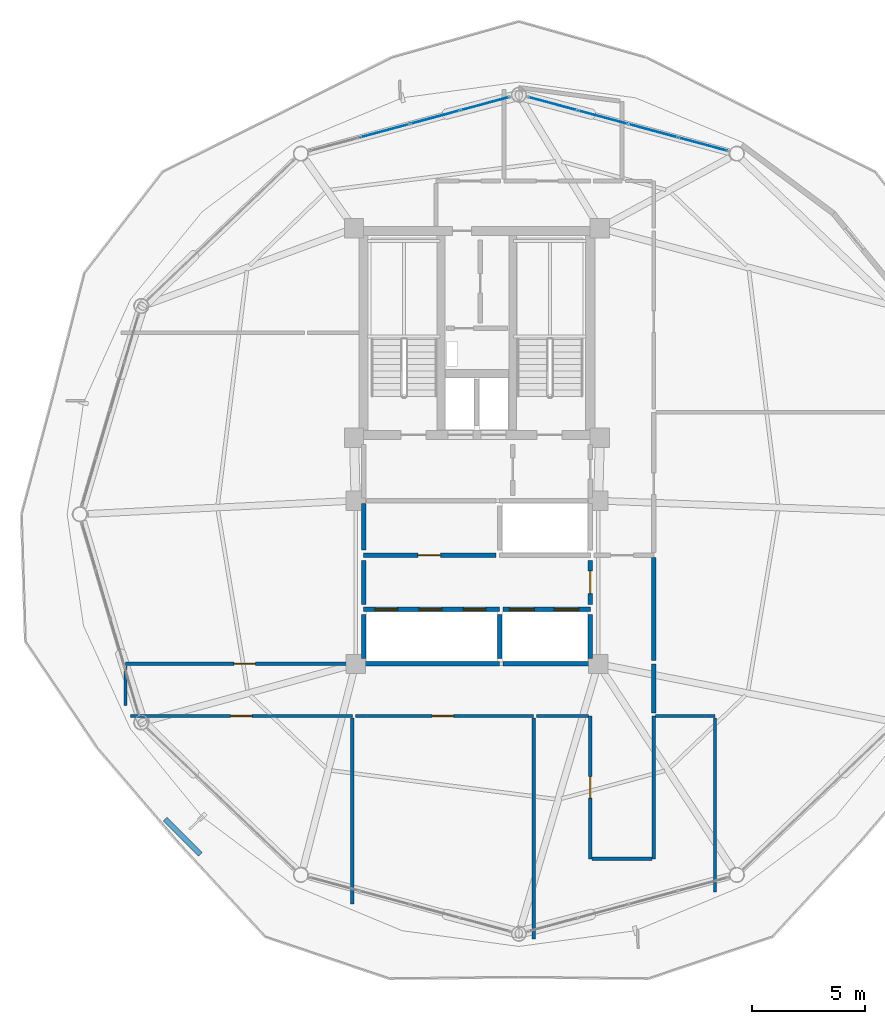
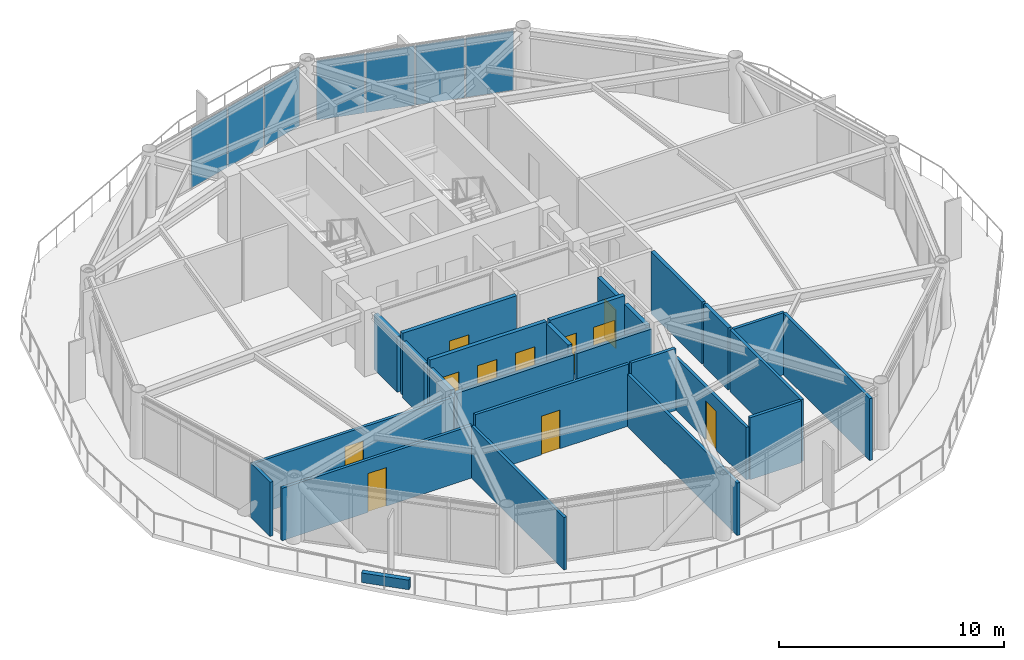
# One storey, part 23 of 28: 26 walls, 11 doors, 7 plates, 11 openings, 2 elements without a shape of their own.
"""IFC4 building model written with IfcOpenShell, lengths in metres."""

import ifcopenshell
import ifcopenshell.guid

model = None  # the IFC model being written
_history = None  # IfcOwnerHistory: only IFC2X3 demands one
_inside = {}  # id of a spatial element -> (the spatial element, [elements in it])
_under = {}  # id of a project, library or spatial element -> (it, [spatial elements below it])
_declared = {}  # id of a project -> (the project, [libraries it declares])
_typed = {}  # id of a type object -> (the type object, [elements of that type])
_made_of = {}  # id of a material, layer set ... -> (it, [elements and type objects made of it])


def new_model(schema):
    """Start an empty IFC model of exactly this schema.

    Asked for "IFC4X3", IfcOpenShell would pick the latest addendum, in which some entities
    have other attributes; the version numbers below select the first issue.
    IFC2X3 requires an IfcOwnerHistory on every rooted entity: one is made here for all.
    """
    global model, _history
    if schema == "IFC4X3":
        model = ifcopenshell.file(schema_version=(4, 3, 0, 0))
    else:
        model = ifcopenshell.file(schema=schema)
    _inside.clear()
    _under.clear()
    _declared.clear()
    _typed.clear()
    _made_of.clear()
    _history = None
    if model.schema == "IFC2X3":
        org = make("IfcOrganization", Name="unknown")
        user = make(
            "IfcPersonAndOrganization",
            ThePerson=make("IfcPerson", FamilyName="unknown"),
            TheOrganization=org,
        )
        app = make(
            "IfcApplication",
            ApplicationDeveloper=org,
            Version="unknown",
            ApplicationFullName="unknown",
            ApplicationIdentifier="unknown",
        )
        _history = make(
            "IfcOwnerHistory",
            OwningUser=user,
            OwningApplication=app,
            ChangeAction="ADDED",
            CreationDate=0,
        )
    return model


def make(cls, **values):
    """One entity of the class cls with the attributes given. An attribute that is None is left unset."""
    return model.create_entity(
        cls, **{name: value for name, value in values.items() if value is not None}
    )


def rooted(cls, **values):
    """An entity with a GlobalId (a new one), such as an element, a storey or a relation."""
    return make(cls, GlobalId=ifcopenshell.guid.new(), OwnerHistory=_history, **values)


def si_unit(unit_type, name, prefix=None):
    """IfcSIUnit, for example si_unit("LENGTHUNIT", "METRE", prefix="MILLI")."""
    return make("IfcSIUnit", UnitType=unit_type, Prefix=prefix, Name=name)


def assignment(units):
    """IfcUnitAssignment: the units of a project."""
    return None if units is None else make("IfcUnitAssignment", Units=units)


def point(xyz):
    """IfcCartesianPoint."""
    return None if xyz is None else make("IfcCartesianPoint", Coordinates=xyz)


def direction(xyz):
    """IfcDirection."""
    return None if xyz is None else make("IfcDirection", DirectionRatios=xyz)


def frame(location, z_axis=None, x_axis=None):
    """IfcAxis2Placement3D, a coordinate frame: its origin and axes. An axis left out is left unset."""
    return make(
        "IfcAxis2Placement3D",
        Location=point(location),
        Axis=direction(z_axis),
        RefDirection=direction(x_axis),
    )


def frame_2d(location, x_axis=None):
    """IfcAxis2Placement2D, a coordinate frame in the plane: its origin and x axis."""
    return make(
        "IfcAxis2Placement2D", Location=point(location), RefDirection=direction(x_axis)
    )


def origin():
    """The frame at (0, 0, 0) with its axes left unset."""
    return frame((0.0, 0.0, 0.0))


def origin_2d():
    """The frame at (0, 0) in the plane with its x axis left unset."""
    return frame_2d((0.0, 0.0))


def place(relative_to, where):
    """IfcLocalPlacement: puts the frame where relative to a parent placement (None: the world)."""
    return make(
        "IfcLocalPlacement", PlacementRelTo=relative_to, RelativePlacement=where
    )


def context(
    kind, dimensions, precision=None, world=None, true_north=None, identifier=None
):
    """IfcGeometricRepresentationContext, for example the 3D "Model" context."""
    return make(
        "IfcGeometricRepresentationContext",
        ContextIdentifier=identifier,
        ContextType=kind,
        CoordinateSpaceDimension=dimensions,
        Precision=precision,
        WorldCoordinateSystem=world,
        TrueNorth=true_north,
    )


def subcontext(parent, identifier, kind, view, scale=None):
    """IfcGeometricRepresentationSubContext, for example "Body" below "Model"."""
    return make(
        "IfcGeometricRepresentationSubContext",
        ContextIdentifier=identifier,
        ContextType=kind,
        ParentContext=parent,
        TargetScale=scale,
        TargetView=view,
    )


def project(units=None, contexts=None):
    """IfcProject with its units and contexts."""
    return rooted(
        "IfcProject",
        Name="project",
        RepresentationContexts=contexts,
        UnitsInContext=assignment(units),
    )


def spatial(cls, under=None, at=None, **own):
    """A site, building, storey or space (cls), placed at a placement, below another one or the project."""
    s = rooted(cls, ObjectPlacement=at, **own)
    if under is not None:
        _under.setdefault(under.id(), (under, []))[1].append(s)
    return s


def profile(cls, at=None, kind="AREA", **sizes):
    """A parametric profile (cls). Its sizes go by their IFC names, for example OverallWidth=200.0."""
    return make(cls, ProfileType=kind, Position=at, **sizes)


def rectangle(**sizes):
    """IfcRectangleProfileDef."""
    return profile("IfcRectangleProfileDef", **sizes)


def extrude(swept, where, along, depth):
    """IfcExtrudedAreaSolid: the profile swept, set in the frame where, extruded along a direction by depth."""
    return make(
        "IfcExtrudedAreaSolid",
        SweptArea=swept,
        Position=where,
        ExtrudedDirection=direction(along),
        Depth=depth,
    )


def shape(context_of_items, identifier, shape_type, items):
    """IfcShapeRepresentation: the items that make up one representation, for example the "Body"."""
    return make(
        "IfcShapeRepresentation",
        ContextOfItems=context_of_items,
        RepresentationIdentifier=identifier,
        RepresentationType=shape_type,
        Items=items,
    )


def source(mapping_origin, context_of_items, identifier, shape_type, items):
    """IfcRepresentationMap: a shape defined once, which mapped items show again and again."""
    return make(
        "IfcRepresentationMap",
        MappingOrigin=mapping_origin,
        MappedRepresentation=shape(context_of_items, identifier, shape_type, items),
    )


def transform(
    local_origin,
    x_axis=None,
    y_axis=None,
    z_axis=None,
    scale=None,
    scale2=None,
    scale3=None,
    uniform=True,
):
    """IfcCartesianTransformationOperator3D, or its non-uniform kind. x_axis, y_axis, z_axis: its Axis1, 2, 3."""
    if uniform:
        return make(
            "IfcCartesianTransformationOperator3D",
            Axis1=direction(x_axis),
            Axis2=direction(y_axis),
            LocalOrigin=point(local_origin),
            Scale=scale,
            Axis3=direction(z_axis),
        )
    return make(
        "IfcCartesianTransformationOperator3DnonUniform",
        Axis1=direction(x_axis),
        Axis2=direction(y_axis),
        LocalOrigin=point(local_origin),
        Scale=scale,
        Axis3=direction(z_axis),
        Scale2=scale2,
        Scale3=scale3,
    )


def mapped(mapping_source, mapping_target):
    """IfcMappedItem: shows the shape of a source again, moved by a transform."""
    return make(
        "IfcMappedItem", MappingSource=mapping_source, MappingTarget=mapping_target
    )


def material(Name=None, Category=None):
    """IfcMaterial."""
    return make("IfcMaterial", Name=Name, Category=Category)


def layer(
    of_material, thickness, ventilated=None, Name=None, Category=None, Priority=None
):
    """IfcMaterialLayer: one layer of a wall or slab, of a material (None: an air gap)."""
    return make(
        "IfcMaterialLayer",
        Material=of_material,
        LayerThickness=thickness,
        IsVentilated=ventilated,
        Name=Name,
        Category=Category,
        Priority=Priority,
    )


def layer_set(layers, Name=None):
    """IfcMaterialLayerSet."""
    return make("IfcMaterialLayerSet", MaterialLayers=layers, LayerSetName=Name)


def made_of(thing, what):
    """Note that an element or type object is made of a material, layer set ...; save() writes the relation."""
    if what is not None:
        _made_of.setdefault(what.id(), (what, []))[1].append(thing)
    return thing


def type_object(cls, material=None, **own):
    """A type object (cls), such as IfcWallType, which elements share."""
    return made_of(rooted(cls, **own), material)


def type_shapes(of_type, sources):
    """Give a type object the sources (RepresentationMaps) that its elements show as mapped items."""
    of_type.RepresentationMaps = sources


def element(
    cls,
    number,
    at=None,
    inside=None,
    cuts=None,
    type_object=None,
    material=None,
    context=None,
    identifier="Body",
    shape_type=None,
    held_by="IfcProductDefinitionShape",
    body=None,
    shapes=None,
    **own,
):
    """One element of the class cls, such as IfcWall. Its Tag is "e" and its number.

    at: its placement. inside: the storey or other place that contains it. cuts: it is an
    opening in that element (IfcRelVoidsElement). A single representation is given by context,
    identifier, shape_type and body (its items); several are given by shapes. held_by: the class
    of the entity that holds the representations. save() writes the other relations.
    """
    e = rooted(cls, Tag="e%d" % number, ObjectPlacement=at, **own)
    if body is not None:
        shapes = [shape(context, identifier, shape_type, body)]
    if shapes is not None:
        e.Representation = make(held_by, Representations=shapes)
    if inside is not None:
        _inside.setdefault(inside.id(), (inside, []))[1].append(e)
    if cuts is not None:
        rooted(
            "IfcRelVoidsElement", RelatingBuildingElement=cuts, RelatedOpeningElement=e
        )
    if type_object is not None:
        _typed.setdefault(type_object.id(), (type_object, []))[1].append(e)
    return made_of(e, material)


def fill(opening, filler):
    """IfcRelFillsElement: the door or window that sits in an opening."""
    return rooted(
        "IfcRelFillsElement",
        RelatingOpeningElement=opening,
        RelatedBuildingElement=filler,
    )


def aggregate(whole, parts):
    """IfcRelAggregates: a whole, such as a stair, and the parts it consists of."""
    return rooted("IfcRelAggregates", RelatingObject=whole, RelatedObjects=parts)


def save(model, path):
    """Write the relations noted so far, then the file.

    IfcRelAggregates (storeys below a building ...), IfcRelContainedInSpatialStructure (elements
    in a storey), IfcRelDefinesByType, IfcRelAssociatesMaterial and IfcRelDeclares: one each for
    every whole, place, type object, material and project.
    """
    for whole, parts in _under.values():
        aggregate(whole, parts)
    for where, things in _inside.values():
        rooted(
            "IfcRelContainedInSpatialStructure",
            RelatedElements=things,
            RelatingStructure=where,
        )
    for kind, things in _typed.values():
        rooted("IfcRelDefinesByType", RelatedObjects=things, RelatingType=kind)
    for what, things in _made_of.values():
        rooted("IfcRelAssociatesMaterial", RelatedObjects=things, RelatingMaterial=what)
    for by, libraries in _declared.values():
        rooted("IfcRelDeclares", RelatingContext=by, RelatedDefinitions=libraries)
    model.write(path)


model = new_model("IFC4")

# Units and contexts
model_context = context("Model", 3, precision=1e-05, world=origin(), true_north=direction((0.0, 1.0)))
body_context = subcontext(model_context, "Body", "Model", "MODEL_VIEW")
ifc_project = project(units=[si_unit("LENGTHUNIT", "METRE"), si_unit("AREAUNIT", "SQUARE_METRE"), si_unit("VOLUMEUNIT", "CUBIC_METRE"), si_unit("PLANEANGLEUNIT", "RADIAN"), si_unit("MASSUNIT", "GRAM", prefix="KILO")], contexts=[model_context])

# Site, building, storey
site_placement = place(None, origin())
site = spatial("IfcSite", under=ifc_project, at=site_placement, CompositionType="ELEMENT")
building_placement = place(site_placement, origin())
building = spatial("IfcBuilding", under=site, at=building_placement, Name="Varnakorn Sky Granary", CompositionType="ELEMENT")
storey_placement = place(building_placement, frame((0.0, 0.0, 200.39990234375)))
storey = spatial("IfcBuildingStorey", under=building, at=storey_placement, Name="L50", CompositionType="ELEMENT", Elevation=200.39990234375)

# Curtain wall, plates
ifc_material_1 = material(Name="Anodised Bronze Aluminium Alloy 6063-T6", Category="aluminium")
ifc_layer_1 = layer(ifc_material_1, 0.169921875, Name="Anodised Bronze Aluminium Alloy 6063-T6")
ifc_layer_set_1 = layer_set([ifc_layer_1], Name="Anodised Bronze Aluminium Alloy 6063-T6")
curtain_wall_type = type_object("IfcCurtainWallType", Name="CW-LAB-1", PredefinedType="USERDEFINED", material=ifc_layer_set_1)
curtain_wall_1_placement = place(storey_placement, origin())
curtain_wall_1 = element("IfcCurtainWall", 1, at=curtain_wall_1_placement, inside=storey, type_object=curtain_wall_type, Name="Unitised Curtain Wall CW5 CW-L50-B03", ObjectType="CURTAIN WALL", PredefinedType="USERDEFINED")
ifc_material_2 = material(Name="Opaque Insulated Aluminium Shadow-Box Unit", Category="aluminium")
ifc_layer_2 = layer(ifc_material_2, 0.033935546875, Name="Opaque Insulated Aluminium Shadow-Box Unit")
ifc_layer_set_2 = layer_set([ifc_layer_2], Name="Opaque Insulated Aluminium Shadow-Box Unit")
plate_type = type_object("IfcPlateType", Name="CW-LAB-1-PNL", PredefinedType="CURTAIN_PANEL")
shared_shape_1 = source(origin(), body_context, "Body", "SweptSolid", [
    extrude(rectangle(XDim=2.19873046875, YDim=0.033935546875, at=origin_2d()), origin(), (0.0, 0.0, 1.0), 3.219970703125),
])
plate_1_placement = place(storey_placement, frame((6.3505859375, 18.10791015625, 0.0703125), z_axis=(0.0, 0.0, 1.0), x_axis=(0.965435246946, -0.260643020154, 0.0)))
plate_1 = element("IfcPlate", 2, at=plate_1_placement, type_object=plate_type, material=ifc_layer_set_2, Name="CW5 opaque insulated shadow-box unit 1.1", PredefinedType="CURTAIN_PANEL", context=body_context, shape_type="MappedRepresentation", body=[
    mapped(shared_shape_1, transform((0.0, 0.0, 0.0), x_axis=(1.0, 0.0, 0.0), y_axis=(0.0, 1.0, 0.0), z_axis=(0.0, 0.0, 1.0), scale=1.0)),
])
ifc_material_3 = material(Name="Low-E Tinted Laminated Glass", Category="glass")
ifc_layer_3 = layer(ifc_material_3, 0.033935546875, Name="Low-E Tinted Laminated Glass")
ifc_layer_set_3 = layer_set([ifc_layer_3], Name="Low-E Tinted Laminated Glass")
plate_2_placement = place(storey_placement, frame((12.969970703125, 16.32080078125, 0.0703125), z_axis=(0.0, 0.0, 1.0), x_axis=(0.965435246946, -0.260643020154, 0.0)))
plate_2 = element("IfcPlate", 3, at=plate_2_placement, type_object=plate_type, material=ifc_layer_set_3, Name="CW5 vision glazing unit 4.1", PredefinedType="CURTAIN_PANEL", context=body_context, shape_type="MappedRepresentation", body=[
    mapped(shared_shape_1, transform((0.0, 0.0, 0.0), x_axis=(1.0, 0.0, 0.0), y_axis=(0.0, 1.0, 0.0), z_axis=(0.0, 0.0, 1.0), scale=1.0)),
])

# Curtain wall, plate
curtain_wall_2_placement = place(storey_placement, origin())
curtain_wall_2 = element("IfcCurtainWall", 4, at=curtain_wall_2_placement, inside=storey, type_object=curtain_wall_type, Name="Unitised Curtain Wall CW5 CW-L50-B04", ObjectType="CURTAIN WALL", PredefinedType="USERDEFINED")
plate_3_placement = place(storey_placement, frame((3.349365234375, 18.10791015625, 0.0703125), z_axis=(0.0, 0.0, 1.0), x_axis=(0.965435246946, 0.260643020154, 0.0)))
plate_3 = element("IfcPlate", 5, at=plate_3_placement, type_object=plate_type, material=ifc_layer_set_2, Name="CW5 opaque insulated shadow-box unit 4.1", PredefinedType="CURTAIN_PANEL", context=body_context, shape_type="MappedRepresentation", body=[
    mapped(shared_shape_1, transform((0.0, 0.0, 0.0), x_axis=(1.0, 0.0, 0.0), y_axis=(0.0, 1.0, 0.0), z_axis=(0.0, 0.0, 1.0), scale=1.0)),
])

# Plate
shared_shape_2 = source(origin(), body_context, "Body", "SweptSolid", [
    extrude(rectangle(XDim=2.231201171875, YDim=0.033935546875, at=origin_2d()), origin(), (0.0, 0.0, 1.0), 3.219970703125),
])
type_shapes(plate_type, [shared_shape_1, shared_shape_2])
plate_4_placement = place(storey_placement, frame((8.5517578125, 17.513671875, 0.0703125), z_axis=(0.0, 0.0, 1.0), x_axis=(0.965435246946, -0.260643020154, 0.0)))
plate_4 = element("IfcPlate", 6, at=plate_4_placement, type_object=plate_type, material=ifc_layer_set_2, Name="CW5 opaque insulated shadow-box unit 2.1", PredefinedType="CURTAIN_PANEL", context=body_context, shape_type="MappedRepresentation", body=[
    mapped(shared_shape_2, transform((0.0, 0.0, 0.0), x_axis=(1.0, 0.0, 0.0), y_axis=(0.0, 1.0, 0.0), z_axis=(0.0, 0.0, 1.0), scale=1.0)),
])

plate_5_placement = place(storey_placement, frame((10.768798828125, 16.9150390625, 0.0703125), z_axis=(0.0, 0.0, 1.0), x_axis=(0.965435246946, -0.260643020154, 0.0)))
plate_5 = element("IfcPlate", 7, at=plate_5_placement, type_object=plate_type, material=ifc_layer_set_3, Name="CW5 vision glazing unit 3.1", PredefinedType="CURTAIN_PANEL", context=body_context, shape_type="MappedRepresentation", body=[
    mapped(shared_shape_2, transform((0.0, 0.0, 0.0), x_axis=(1.0, 0.0, 0.0), y_axis=(0.0, 1.0, 0.0), z_axis=(0.0, 0.0, 1.0), scale=1.0)),
])

aggregate(curtain_wall_1, [plate_1, plate_4, plate_5, plate_2])

plate_6_placement = place(storey_placement, frame((-1.068603515625, 16.9150390625, 0.0703125), z_axis=(0.0, 0.0, 1.0), x_axis=(0.965435246946, 0.260643020154, 0.0)))
plate_6 = element("IfcPlate", 8, at=plate_6_placement, type_object=plate_type, material=ifc_layer_set_3, Name="CW5 vision glazing unit 2.1", PredefinedType="CURTAIN_PANEL", context=body_context, shape_type="MappedRepresentation", body=[
    mapped(shared_shape_2, transform((0.0, 0.0, 0.0), x_axis=(1.0, 0.0, 0.0), y_axis=(0.0, 1.0, 0.0), z_axis=(0.0, 0.0, 1.0), scale=1.0)),
])

plate_7_placement = place(storey_placement, frame((1.148193359375, 17.513671875, 0.0703125), z_axis=(0.0, 0.0, 1.0), x_axis=(0.965435246946, 0.260643020154, 0.0)))
plate_7 = element("IfcPlate", 9, at=plate_7_placement, type_object=plate_type, material=ifc_layer_set_2, Name="CW5 opaque insulated shadow-box unit 3.1", PredefinedType="CURTAIN_PANEL", context=body_context, shape_type="MappedRepresentation", body=[
    mapped(shared_shape_2, transform((0.0, 0.0, 0.0), x_axis=(1.0, 0.0, 0.0), y_axis=(0.0, 1.0, 0.0), z_axis=(0.0, 0.0, 1.0), scale=1.0)),
])

aggregate(curtain_wall_2, [plate_6, plate_7, plate_3])

# Wall, opening, door
ifc_material_4 = material(Name="Autoclaved Aerated Concrete Blockwork", Category="masonry")
ifc_layer_4 = layer(ifc_material_4, 0.199951171875, Name="Autoclaved Aerated Concrete Blockwork")
ifc_layer_set_4 = layer_set([ifc_layer_4], Name="Autoclaved Aerated Concrete Blockwork")
wall_type_1 = type_object("IfcWallType", Name="WT-FIRE-200", PredefinedType="MOVABLE", material=ifc_layer_set_4)
wall_1_placement = place(storey_placement, frame((8.0, -3.969970703125, 0.0), z_axis=(0.0, 0.0, 1.0), x_axis=(0.0, 1.0, 0.0)))
wall_1 = element("IfcWall", 10, at=wall_1_placement, inside=storey, type_object=wall_type_1, Name="Interior Partition Wall L50-017", PredefinedType="MOVABLE", context=body_context, shape_type="SweptSolid", body=[
    extrude(rectangle(XDim=1.93994140625, YDim=0.199951171875, at=frame_2d((0.969970703125, 0.0))), origin(), (0.0, 0.0, 1.0), 3.01220703125),
])
opening_1_placement = place(wall_1_placement, frame((0.469970703125, 0.0, 0.0)))
opening_1 = element("IfcOpeningElement", 11, at=opening_1_placement, cuts=wall_1, Name="Opening FD-60", PredefinedType="OPENING", context=body_context, shape_type="SweptSolid", body=[
    extrude(rectangle(XDim=1.0, YDim=2.10009765625, at=frame_2d((0.5, 1.050048828125))), frame((0.0, 0.10986328125, 0.0), z_axis=(0.0, -1.0, 0.0), x_axis=(1.0, 0.0, 0.0)), (0.0, 0.0, 1.0), 0.219970703125),
])
ifc_material_5 = material(Name="Acoustic Timber Fire Leaf", Category="wood")
door_type_1 = type_object("IfcDoorType", Name="DR-FD60-1000", OperationType="NOTDEFINED", PredefinedType="DOOR", material=ifc_material_5)
door_1_placement = place(opening_1_placement, origin())
door_1 = element("IfcDoor", 12, at=door_1_placement, inside=storey, type_object=door_type_1, Name="Interior Door L50-017-1", OperationType="SINGLE_SWING_LEFT", OverallHeight=2.10009765625, OverallWidth=1.0, PredefinedType="DOOR", context=body_context, shape_type="SweptSolid", body=[
    extrude(rectangle(XDim=1.0, YDim=2.10009765625, at=frame_2d((0.5, 1.050048828125))), frame((0.0, 0.02490234375, 0.0), z_axis=(0.0, -1.0, 0.0), x_axis=(1.0, 0.0, 0.0)), (0.0, 0.0, 1.0), 0.050048828125),
])
fill(opening_1, door_1)

wall_2_placement = place(storey_placement, frame((-2.0, -1.800048828125, 0.0), z_axis=(0.0, 0.0, 1.0), x_axis=(1.0, 0.0, 0.0)))
wall_2 = element("IfcWall", 13, at=wall_2_placement, inside=storey, type_object=wall_type_1, Name="Interior Partition Wall L50-018", PredefinedType="MOVABLE", context=body_context, shape_type="SweptSolid", body=[
    extrude(rectangle(XDim=5.840087890625, YDim=0.199951171875, at=frame_2d((2.919921875, 0.0))), origin(), (0.0, 0.0, 1.0), 3.360107421875),
])
opening_2_placement = place(wall_2_placement, frame((2.39990234375, 0.0, 0.0)))
opening_2 = element("IfcOpeningElement", 14, at=opening_2_placement, cuts=wall_2, Name="Opening FD-60", PredefinedType="OPENING", context=body_context, shape_type="SweptSolid", body=[
    extrude(rectangle(XDim=1.0, YDim=2.10009765625, at=frame_2d((0.5, 1.050048828125))), frame((0.0, 0.10986328125, 0.0), z_axis=(0.0, -1.0, 0.0), x_axis=(1.0, 0.0, 0.0)), (0.0, 0.0, 1.0), 0.219970703125),
])
door_2_placement = place(opening_2_placement, origin())
door_2 = element("IfcDoor", 15, at=door_2_placement, inside=storey, type_object=door_type_1, Name="Interior Door L50-018-1", OperationType="SINGLE_SWING_RIGHT", OverallHeight=2.10009765625, OverallWidth=1.0, PredefinedType="DOOR", context=body_context, shape_type="SweptSolid", body=[
    extrude(rectangle(XDim=1.0, YDim=2.10009765625, at=frame_2d((0.5, 1.050048828125))), frame((0.0, 0.02490234375, 0.0), z_axis=(0.0, -1.0, 0.0), x_axis=(1.0, 0.0, 0.0)), (0.0, 0.0, 1.0), 0.050048828125),
])
fill(opening_2, door_2)

# Walls
wall_3_placement = place(storey_placement, frame((-2.0, -3.969970703125, 0.0), z_axis=(0.0, 0.0, 1.0), x_axis=(0.0, 1.0, 0.0)))
element("IfcWall", 16, at=wall_3_placement, inside=storey, type_object=wall_type_1, Name="Interior Partition Wall L50-030", PredefinedType="MOVABLE", context=body_context, shape_type="SweptSolid", body=[
    extrude(rectangle(XDim=1.93994140625, YDim=0.199951171875, at=frame_2d((0.969970703125, 0.0))), origin(), (0.0, 0.0, 1.0), 3.01220703125),
])
wall_4_placement = place(storey_placement, frame((-2.0, -1.570068359375, 0.0), z_axis=(0.0, 0.0, 1.0), x_axis=(0.0, 1.0, 0.0)))
element("IfcWall", 17, at=wall_4_placement, inside=storey, type_object=wall_type_1, Name="Interior Partition Wall L50-031", PredefinedType="MOVABLE", context=body_context, shape_type="SweptSolid", body=[
    extrude(rectangle(XDim=2.050048828125, YDim=0.199951171875, at=frame_2d((1.02490234375, 0.0))), origin(), (0.0, 0.0, 1.0), 3.01220703125),
])

# Wall, opening, door
ifc_material_6 = material(Name="Gypsum Plasterboard on Steel Stud", Category="steel")
ifc_layer_5 = layer(ifc_material_6, 0.14990234375, Name="Gypsum Plasterboard on Steel Stud")
ifc_layer_set_5 = layer_set([ifc_layer_5], Name="Gypsum Plasterboard on Steel Stud")
wall_type_2 = type_object("IfcWallType", Name="WT-PART-150", PredefinedType="PARTITIONING", material=ifc_layer_set_5)
wall_5_placement = place(storey_placement, frame((-12.283935546875, -8.89990234375, 0.0), z_axis=(0.0, 0.0, 1.0), x_axis=(1.0, 0.0, 0.0)))
wall_5 = element("IfcWall", 18, at=wall_5_placement, inside=storey, type_object=wall_type_2, Name="Interior Partition Wall L50-021", PredefinedType="PARTITIONING", context=body_context, shape_type="SweptSolid", body=[
    extrude(rectangle(XDim=9.783935546875, YDim=0.14990234375, at=frame_2d((4.89208984375, 0.0))), origin(), (0.0, 0.0, 1.0), 2.842041015625),
])
opening_3_placement = place(wall_5_placement, frame((4.4169921875, 0.0, 0.0)))
opening_3 = element("IfcOpeningElement", 19, at=opening_3_placement, cuts=wall_5, Name="Opening ID-95", PredefinedType="OPENING", context=body_context, shape_type="SweptSolid", body=[
    extrude(rectangle(XDim=0.949951171875, YDim=2.10009765625, at=frame_2d((0.47509765625, 1.050048828125))), frame((0.0, 0.0849609375, 0.0), z_axis=(0.0, -1.0, 0.0), x_axis=(1.0, 0.0, 0.0)), (0.0, 0.0, 1.0), 0.169921875),
])
ifc_material_7 = material(Name="Solid-Core Teak Veneer Leaf", Category="timber")
door_type_2 = type_object("IfcDoorType", Name="DR-INT-950", OperationType="NOTDEFINED", PredefinedType="DOOR", material=ifc_material_7)
door_3_placement = place(opening_3_placement, origin())
door_3 = element("IfcDoor", 20, at=door_3_placement, inside=storey, type_object=door_type_2, Name="Interior Door L50-021-1", OperationType="SINGLE_SWING_LEFT", OverallHeight=2.10009765625, OverallWidth=0.949951171875, PredefinedType="DOOR", context=body_context, shape_type="SweptSolid", body=[
    extrude(rectangle(XDim=0.949951171875, YDim=2.10009765625, at=frame_2d((0.47509765625, 1.050048828125))), frame((0.0, 0.02490234375, 0.0), z_axis=(0.0, -1.0, 0.0), x_axis=(1.0, 0.0, 0.0)), (0.0, 0.0, 1.0), 0.050048828125),
])
fill(opening_3, door_3)

wall_6_placement = place(storey_placement, frame((-2.364990234375, -8.89990234375, 0.0), z_axis=(0.0, 0.0, 1.0), x_axis=(1.0, 0.0, 0.0)))
wall_6 = element("IfcWall", 21, at=wall_6_placement, inside=storey, type_object=wall_type_2, Name="Interior Partition Wall L50-022", PredefinedType="PARTITIONING", context=body_context, shape_type="SweptSolid", body=[
    extrude(rectangle(XDim=7.864990234375, YDim=0.14990234375, at=frame_2d((3.9326171875, 0.0))), origin(), (0.0, 0.0, 1.0), 3.360107421875),
])
opening_4_placement = place(wall_6_placement, frame((3.389892578125, 0.0, 0.0)))
opening_4 = element("IfcOpeningElement", 22, at=opening_4_placement, cuts=wall_6, Name="Opening ID-95", PredefinedType="OPENING", context=body_context, shape_type="SweptSolid", body=[
    extrude(rectangle(XDim=0.949951171875, YDim=2.10009765625, at=frame_2d((0.47509765625, 1.050048828125))), frame((0.0, 0.0849609375, 0.0), z_axis=(0.0, -1.0, 0.0), x_axis=(1.0, 0.0, 0.0)), (0.0, 0.0, 1.0), 0.169921875),
])
door_4_placement = place(opening_4_placement, origin())
door_4 = element("IfcDoor", 23, at=door_4_placement, inside=storey, type_object=door_type_2, Name="Interior Door L50-022-1", OperationType="SINGLE_SWING_RIGHT", OverallHeight=2.10009765625, OverallWidth=0.949951171875, PredefinedType="DOOR", context=body_context, shape_type="SweptSolid", body=[
    extrude(rectangle(XDim=0.949951171875, YDim=2.10009765625, at=frame_2d((0.47509765625, 1.050048828125))), frame((0.0, 0.02490234375, 0.0), z_axis=(0.0, -1.0, 0.0), x_axis=(1.0, 0.0, 0.0)), (0.0, 0.0, 1.0), 0.050048828125),
])
fill(opening_4, door_4)

wall_7_placement = place(storey_placement, frame((8.0, -8.89990234375, 0.0), z_axis=(0.0, 0.0, 1.0), x_axis=(0.0, -1.0, 0.0)))
wall_7 = element("IfcWall", 24, at=wall_7_placement, inside=storey, type_object=wall_type_2, Name="Interior Partition Wall L50-023", PredefinedType="PARTITIONING", context=body_context, shape_type="SweptSolid", body=[
    extrude(rectangle(XDim=6.300048828125, YDim=0.14990234375, at=frame_2d((3.14990234375, 0.0))), origin(), (0.0, 0.0, 1.0), 2.842041015625),
])
opening_5_placement = place(wall_7_placement, frame((2.675048828125, 0.0, 0.0)))
opening_5 = element("IfcOpeningElement", 25, at=opening_5_placement, cuts=wall_7, Name="Opening ID-95", PredefinedType="OPENING", context=body_context, shape_type="SweptSolid", body=[
    extrude(rectangle(XDim=0.949951171875, YDim=2.10009765625, at=frame_2d((0.47509765625, 1.050048828125))), frame((0.0, 0.0849609375, 0.0), z_axis=(0.0, -1.0, 0.0), x_axis=(1.0, 0.0, 0.0)), (0.0, 0.0, 1.0), 0.169921875),
])
door_5_placement = place(opening_5_placement, origin())
door_5 = element("IfcDoor", 26, at=door_5_placement, inside=storey, type_object=door_type_2, Name="Interior Door L50-023-1", OperationType="SINGLE_SWING_LEFT", OverallHeight=2.10009765625, OverallWidth=0.949951171875, PredefinedType="DOOR", context=body_context, shape_type="SweptSolid", body=[
    extrude(rectangle(XDim=0.949951171875, YDim=2.10009765625, at=frame_2d((0.47509765625, 1.050048828125))), frame((0.0, 0.02490234375, 0.0), z_axis=(0.0, -1.0, 0.0), x_axis=(1.0, 0.0, 0.0)), (0.0, 0.0, 1.0), 0.050048828125),
])
fill(opening_5, door_5)

wall_8_placement = place(storey_placement, frame((-2.159912109375, -6.60009765625, 0.0), z_axis=(0.0, 0.0, 1.0), x_axis=(-1.0, 0.0, 0.0)))
wall_8 = element("IfcWall", 27, at=wall_8_placement, inside=storey, type_object=wall_type_2, Name="Interior Partition Wall L50-024", PredefinedType="PARTITIONING", context=body_context, shape_type="SweptSolid", body=[
    extrude(rectangle(XDim=10.340087890625, YDim=0.14990234375, at=frame_2d((5.169921875, 0.0))), origin(), (0.0, 0.0, 1.0), 2.842041015625),
])
opening_6_placement = place(wall_8_placement, frame((4.614990234375, 0.0, 0.0)))
opening_6 = element("IfcOpeningElement", 28, at=opening_6_placement, cuts=wall_8, Name="Opening ID-95", PredefinedType="OPENING", context=body_context, shape_type="SweptSolid", body=[
    extrude(rectangle(XDim=0.949951171875, YDim=2.10009765625, at=frame_2d((0.47509765625, 1.050048828125))), frame((0.0, 0.0849609375, 0.0), z_axis=(0.0, -1.0, 0.0), x_axis=(1.0, 0.0, 0.0)), (0.0, 0.0, 1.0), 0.169921875),
])
door_6_placement = place(opening_6_placement, origin())
door_6 = element("IfcDoor", 29, at=door_6_placement, inside=storey, type_object=door_type_2, Name="Interior Door L50-024-1", OperationType="SINGLE_SWING_RIGHT", OverallHeight=2.10009765625, OverallWidth=0.949951171875, PredefinedType="DOOR", context=body_context, shape_type="SweptSolid", body=[
    extrude(rectangle(XDim=0.949951171875, YDim=2.10009765625, at=frame_2d((0.47509765625, 1.050048828125))), frame((0.0, 0.02490234375, 0.0), z_axis=(0.0, -1.0, 0.0), x_axis=(1.0, 0.0, 0.0)), (0.0, 0.0, 1.0), 0.050048828125),
])
fill(opening_6, door_6)

# Walls
wall_9_placement = place(storey_placement, frame((-2.5, -8.985107421875, 0.0), z_axis=(0.0, 0.0, 1.0), x_axis=(0.0, -1.0, 0.0)))
element("IfcWall", 30, at=wall_9_placement, inside=storey, type_object=wall_type_2, Name="Interior Partition Wall L50-033", PredefinedType="PARTITIONING", context=body_context, shape_type="SweptSolid", body=[
    extrude(rectangle(XDim=8.208984375, YDim=0.14990234375, at=frame_2d((4.1044921875, 0.0))), origin(), (0.0, 0.0, 1.0), 2.842041015625),
])
wall_10_placement = place(storey_placement, frame((5.5, -8.985107421875, 0.0), z_axis=(0.0, 0.0, 1.0), x_axis=(0.0, -1.0, 0.0)))
element("IfcWall", 31, at=wall_10_placement, inside=storey, type_object=wall_type_2, Name="Interior Partition Wall L50-034", PredefinedType="PARTITIONING", context=body_context, shape_type="SweptSolid", body=[
    extrude(rectangle(XDim=9.75, YDim=0.14990234375, at=frame_2d((4.875, 0.0))), origin(), (0.0, 0.0, 1.0), 2.842041015625),
])
wall_11_placement = place(storey_placement, frame((10.800048828125, -15.199951171875, 0.0), z_axis=(0.0, 0.0, 1.0), x_axis=(0.0, 1.0, 0.0)))
element("IfcWall", 32, at=wall_11_placement, inside=storey, type_object=wall_type_2, Name="Interior Partition Wall L50-035", PredefinedType="PARTITIONING", context=body_context, shape_type="SweptSolid", body=[
    extrude(rectangle(XDim=6.300048828125, YDim=0.14990234375, at=frame_2d((3.14990234375, 0.0))), origin(), (0.0, 0.0, 1.0), 3.360107421875),
])
wall_12_placement = place(storey_placement, frame((8.0849609375, -15.199951171875, 0.0), z_axis=(0.0, 0.0, 1.0), x_axis=(1.0, 0.0, 0.0)))
element("IfcWall", 33, at=wall_12_placement, inside=storey, type_object=wall_type_2, Name="Interior Partition Wall L50-036", PredefinedType="PARTITIONING", context=body_context, shape_type="SweptSolid", body=[
    extrude(rectangle(XDim=2.630126953125, YDim=0.14990234375, at=frame_2d((1.31494140625, 0.0))), origin(), (0.0, 0.0, 1.0), 3.360107421875),
])
wall_13_placement = place(storey_placement, frame((5.635009765625, -8.89990234375, 0.0), z_axis=(0.0, 0.0, 1.0), x_axis=(1.0, 0.0, 0.0)))
element("IfcWall", 34, at=wall_13_placement, inside=storey, type_object=wall_type_2, Name="Interior Partition Wall L50-037", PredefinedType="PARTITIONING", context=body_context, shape_type="SweptSolid", body=[
    extrude(rectangle(XDim=2.280029296875, YDim=0.14990234375, at=frame_2d((1.14013671875, 0.0))), origin(), (0.0, 0.0, 1.0), 3.360107421875),
])
wall_14_placement = place(storey_placement, frame((10.885009765625, -8.89990234375, 0.0), z_axis=(0.0, 0.0, 1.0), x_axis=(1.0, 0.0, 0.0)))
element("IfcWall", 35, at=wall_14_placement, inside=storey, type_object=wall_type_2, Name="Interior Partition Wall L50-038", PredefinedType="PARTITIONING", context=body_context, shape_type="SweptSolid", body=[
    extrude(rectangle(XDim=2.614990234375, YDim=0.14990234375, at=frame_2d((1.3076171875, 0.0))), origin(), (0.0, 0.0, 1.0), 3.360107421875),
])
wall_15_placement = place(storey_placement, frame((13.5, -8.985107421875, 0.0), z_axis=(0.0, 0.0, 1.0), x_axis=(0.0, -1.0, 0.0)))
element("IfcWall", 36, at=wall_15_placement, inside=storey, type_object=wall_type_2, Name="Interior Partition Wall L50-039", PredefinedType="PARTITIONING", context=body_context, shape_type="SweptSolid", body=[
    extrude(rectangle(XDim=7.66796875, YDim=0.14990234375, at=frame_2d((3.833984375, 0.0))), origin(), (0.0, 0.0, 1.0), 3.360107421875),
])
wall_16_placement = place(storey_placement, frame((-12.5, -6.68505859375, 0.0), z_axis=(0.0, 0.0, 1.0), x_axis=(0.0, -1.0, 0.0)))
element("IfcWall", 37, at=wall_16_placement, inside=storey, type_object=wall_type_2, Name="Interior Partition Wall L50-040", PredefinedType="PARTITIONING", context=body_context, shape_type="SweptSolid", body=[
    extrude(rectangle(XDim=1.739990234375, YDim=0.14990234375, at=frame_2d((0.8701171875, 0.0))), origin(), (0.0, 0.0, 1.0), 2.942138671875),
])
ifc_material_8 = material(Name="Moisture-Resistant Gypsum on Stud", Category="gypsum")
ifc_layer_6 = layer(ifc_material_8, 0.179931640625, Name="Moisture-Resistant Gypsum on Stud")
ifc_layer_set_6 = layer_set([ifc_layer_6], Name="Moisture-Resistant Gypsum on Stud")
wall_type_3 = type_object("IfcWallType", Name="WT-PLUMB-180", PredefinedType="PLUMBINGWALL", material=ifc_layer_set_6)
wall_17_placement = place(storey_placement, frame((10.800048828125, -8.764892578125, 0.0), z_axis=(0.0, 0.0, 1.0), x_axis=(0.0, 1.0, 0.0)))
element("IfcWall", 38, at=wall_17_placement, inside=storey, type_object=wall_type_3, Name="Interior Partition Wall L50-045", PredefinedType="PLUMBINGWALL", context=body_context, shape_type="SweptSolid", body=[
    extrude(rectangle(XDim=2.164794921875, YDim=0.179931640625, at=frame_2d((1.08251953125, 0.0))), origin(), (0.0, 0.0, 1.0), 3.360107421875),
])
wall_18_placement = place(storey_placement, frame((10.800048828125, -6.449951171875, 0.0), z_axis=(0.0, 0.0, 1.0), x_axis=(0.0, 1.0, 0.0)))
element("IfcWall", 39, at=wall_18_placement, inside=storey, type_object=wall_type_3, Name="Interior Partition Wall L50-046", PredefinedType="PLUMBINGWALL", context=body_context, shape_type="SweptSolid", body=[
    extrude(rectangle(XDim=4.5400390625, YDim=0.179931640625, at=frame_2d((2.27001953125, 0.0))), origin(), (0.0, 0.0, 1.0), 3.360107421875),
])

# Wall, openings, doors
ifc_layer_7 = layer(ifc_material_4, 0.199951171875, Name="Autoclaved Aerated Concrete Blockwork")
ifc_layer_set_7 = layer_set([ifc_layer_7], Name="Autoclaved Aerated Concrete Blockwork")
wall_type_4 = type_object("IfcWallType", Name="WT-SHAFT-200", PredefinedType="SOLIDWALL", material=ifc_layer_set_7)
wall_19_placement = place(storey_placement, frame((-2.0, -4.199951171875, 0.0), z_axis=(0.0, 0.0, 1.0), x_axis=(1.0, 0.0, 0.0)))
wall_19 = element("IfcWall", 40, at=wall_19_placement, inside=storey, type_object=wall_type_4, Name="Interior Partition Wall L50-006", PredefinedType="SOLIDWALL", context=body_context, shape_type="SweptSolid", body=[
    extrude(rectangle(XDim=6.0, YDim=0.199951171875, at=frame_2d((3.0, 0.0))), origin(), (0.0, 0.0, 1.0), 3.360107421875),
])
opening_7_placement = place(wall_19_placement, frame((0.5, 0.0, 0.0)))
opening_7 = element("IfcOpeningElement", 41, at=opening_7_placement, cuts=wall_19, Name="Opening LD-03", PredefinedType="OPENING", context=body_context, shape_type="SweptSolid", body=[
    extrude(rectangle(XDim=1.0, YDim=2.199951171875, at=frame_2d((0.5, 1.10009765625))), frame((0.0, 0.10986328125, 0.0), z_axis=(0.0, -1.0, 0.0), x_axis=(1.0, 0.0, 0.0)), (0.0, 0.0, 1.0), 0.219970703125),
])
opening_8_placement = place(wall_19_placement, frame((2.449951171875, 0.0, 0.0)))
opening_8 = element("IfcOpeningElement", 42, at=opening_8_placement, cuts=wall_19, Name="Opening LD-03", PredefinedType="OPENING", context=body_context, shape_type="SweptSolid", body=[
    extrude(rectangle(XDim=1.0, YDim=2.199951171875, at=frame_2d((0.5, 1.10009765625))), frame((0.0, 0.10986328125, 0.0), z_axis=(0.0, -1.0, 0.0), x_axis=(1.0, 0.0, 0.0)), (0.0, 0.0, 1.0), 0.219970703125),
])
opening_9_placement = place(wall_19_placement, frame((4.39990234375, 0.0, 0.0)))
opening_9 = element("IfcOpeningElement", 43, at=opening_9_placement, cuts=wall_19, Name="Opening LD-03", PredefinedType="OPENING", context=body_context, shape_type="SweptSolid", body=[
    extrude(rectangle(XDim=1.0, YDim=2.199951171875, at=frame_2d((0.5, 1.10009765625))), frame((0.0, 0.10986328125, 0.0), z_axis=(0.0, -1.0, 0.0), x_axis=(1.0, 0.0, 0.0)), (0.0, 0.0, 1.0), 0.219970703125),
])
ifc_material_9 = material(Name="Brushed Bronze Stainless Steel", Category="steel")
door_type_3 = type_object("IfcDoorType", Name="DR-LD-1000", OperationType="DOUBLE_DOOR_SLIDING", PredefinedType="DOOR", material=ifc_material_9)
door_7_placement = place(opening_7_placement, origin())
door_7 = element("IfcDoor", 44, at=door_7_placement, inside=storey, type_object=door_type_3, Name="Passenger Lift PL-M1 Sliding Landing Door L50", OperationType="DOUBLE_DOOR_SLIDING", OverallHeight=2.199951171875, OverallWidth=1.0, PredefinedType="DOOR", context=body_context, shape_type="SweptSolid", body=[
    extrude(rectangle(XDim=1.0, YDim=2.199951171875, at=frame_2d((0.5, 1.10009765625))), frame((0.0, 0.02490234375, 0.0), z_axis=(0.0, -1.0, 0.0), x_axis=(1.0, 0.0, 0.0)), (0.0, 0.0, 1.0), 0.050048828125),
])
fill(opening_7, door_7)
door_8_placement = place(opening_8_placement, origin())
door_8 = element("IfcDoor", 45, at=door_8_placement, inside=storey, type_object=door_type_3, Name="Passenger Lift PL-M2 Sliding Landing Door L50", OperationType="DOUBLE_DOOR_SLIDING", OverallHeight=2.199951171875, OverallWidth=1.0, PredefinedType="DOOR", context=body_context, shape_type="SweptSolid", body=[
    extrude(rectangle(XDim=1.0, YDim=2.199951171875, at=frame_2d((0.5, 1.10009765625))), frame((0.0, 0.02490234375, 0.0), z_axis=(0.0, -1.0, 0.0), x_axis=(1.0, 0.0, 0.0)), (0.0, 0.0, 1.0), 0.050048828125),
])
fill(opening_8, door_8)
door_9_placement = place(opening_9_placement, origin())
door_9 = element("IfcDoor", 46, at=door_9_placement, inside=storey, type_object=door_type_3, Name="Passenger Lift PL-M3 Sliding Landing Door L50", OperationType="DOUBLE_DOOR_SLIDING", OverallHeight=2.199951171875, OverallWidth=1.0, PredefinedType="DOOR", context=body_context, shape_type="SweptSolid", body=[
    extrude(rectangle(XDim=1.0, YDim=2.199951171875, at=frame_2d((0.5, 1.10009765625))), frame((0.0, 0.02490234375, 0.0), z_axis=(0.0, -1.0, 0.0), x_axis=(1.0, 0.0, 0.0)), (0.0, 0.0, 1.0), 0.050048828125),
])
fill(opening_9, door_9)

# Walls
wall_20_placement = place(storey_placement, frame((-2.0, -6.60009765625, 0.0), z_axis=(0.0, 0.0, 1.0), x_axis=(1.0, 0.0, 0.0)))
element("IfcWall", 47, at=wall_20_placement, inside=storey, type_object=wall_type_4, Name="Interior Partition Wall L50-007", PredefinedType="SOLIDWALL", context=body_context, shape_type="SweptSolid", body=[
    extrude(rectangle(XDim=6.0, YDim=0.199951171875, at=frame_2d((3.0, 0.0))), origin(), (0.0, 0.0, 1.0), 3.01220703125),
])
wall_21_placement = place(storey_placement, frame((-2.0, -6.3701171875, 0.0), z_axis=(0.0, 0.0, 1.0), x_axis=(0.0, 1.0, 0.0)))
element("IfcWall", 48, at=wall_21_placement, inside=storey, type_object=wall_type_4, Name="Interior Partition Wall L50-008", PredefinedType="SOLIDWALL", context=body_context, shape_type="SweptSolid", body=[
    extrude(rectangle(XDim=1.940185546875, YDim=0.199951171875, at=frame_2d((0.97021484375, 0.0))), origin(), (0.0, 0.0, 1.0), 3.01220703125),
])

# Wall, openings, doors
wall_22_placement = place(storey_placement, frame((4.159912109375, -4.199951171875, 0.0), z_axis=(0.0, 0.0, 1.0), x_axis=(1.0, 0.0, 0.0)))
wall_22 = element("IfcWall", 49, at=wall_22_placement, inside=storey, type_object=wall_type_4, Name="Interior Partition Wall L50-009", PredefinedType="SOLIDWALL", context=body_context, shape_type="SweptSolid", body=[
    extrude(rectangle(XDim=3.840087890625, YDim=0.199951171875, at=frame_2d((1.919921875, 0.0))), origin(), (0.0, 0.0, 1.0), 3.360107421875),
])
opening_10_placement = place(wall_22_placement, frame((0.27001953125, 0.0, 0.0)))
opening_10 = element("IfcOpeningElement", 50, at=opening_10_placement, cuts=wall_22, Name="Opening LD-01", PredefinedType="OPENING", context=body_context, shape_type="SweptSolid", body=[
    extrude(rectangle(XDim=1.10009765625, YDim=2.199951171875, at=frame_2d((0.550048828125, 1.10009765625))), frame((0.0, 0.10986328125, 0.0), z_axis=(0.0, -1.0, 0.0), x_axis=(1.0, 0.0, 0.0)), (0.0, 0.0, 1.0), 0.219970703125),
])
opening_11_placement = place(wall_22_placement, frame((2.239990234375, 0.0, 0.0)))
opening_11 = element("IfcOpeningElement", 51, at=opening_11_placement, cuts=wall_22, Name="Opening LD-01", PredefinedType="OPENING", context=body_context, shape_type="SweptSolid", body=[
    extrude(rectangle(XDim=1.10009765625, YDim=2.199951171875, at=frame_2d((0.550048828125, 1.10009765625))), frame((0.0, 0.10986328125, 0.0), z_axis=(0.0, -1.0, 0.0), x_axis=(1.0, 0.0, 0.0)), (0.0, 0.0, 1.0), 0.219970703125),
])
door_type_4 = type_object("IfcDoorType", Name="DR-LD-1100", OperationType="DOUBLE_DOOR_SLIDING", PredefinedType="DOOR", material=ifc_material_9)
door_10_placement = place(opening_10_placement, origin())
door_10 = element("IfcDoor", 52, at=door_10_placement, inside=storey, type_object=door_type_4, Name="Passenger Lift PL-H1 Sliding Landing Door L50", OperationType="DOUBLE_DOOR_SLIDING", OverallHeight=2.199951171875, OverallWidth=1.10009765625, PredefinedType="DOOR", context=body_context, shape_type="SweptSolid", body=[
    extrude(rectangle(XDim=1.10009765625, YDim=2.199951171875, at=frame_2d((0.550048828125, 1.10009765625))), frame((0.0, 0.02490234375, 0.0), z_axis=(0.0, -1.0, 0.0), x_axis=(1.0, 0.0, 0.0)), (0.0, 0.0, 1.0), 0.050048828125),
])
fill(opening_10, door_10)
door_11_placement = place(opening_11_placement, origin())
door_11 = element("IfcDoor", 53, at=door_11_placement, inside=storey, type_object=door_type_4, Name="Passenger Lift PL-H2 Sliding Landing Door L50", OperationType="DOUBLE_DOOR_SLIDING", OverallHeight=2.199951171875, OverallWidth=1.10009765625, PredefinedType="DOOR", context=body_context, shape_type="SweptSolid", body=[
    extrude(rectangle(XDim=1.10009765625, YDim=2.199951171875, at=frame_2d((0.550048828125, 1.10009765625))), frame((0.0, 0.02490234375, 0.0), z_axis=(0.0, -1.0, 0.0), x_axis=(1.0, 0.0, 0.0)), (0.0, 0.0, 1.0), 0.050048828125),
])
fill(opening_11, door_11)

# Walls
wall_23_placement = place(storey_placement, frame((4.159912109375, -6.60009765625, 0.0), z_axis=(0.0, 0.0, 1.0), x_axis=(1.0, 0.0, 0.0)))
element("IfcWall", 54, at=wall_23_placement, inside=storey, type_object=wall_type_4, Name="Interior Partition Wall L50-010", PredefinedType="SOLIDWALL", context=body_context, shape_type="SweptSolid", body=[
    extrude(rectangle(XDim=3.840087890625, YDim=0.199951171875, at=frame_2d((1.919921875, 0.0))), origin(), (0.0, 0.0, 1.0), 3.01220703125),
])
wall_24_placement = place(storey_placement, frame((4.0, -6.3701171875, 0.0), z_axis=(0.0, 0.0, 1.0), x_axis=(0.0, 1.0, 0.0)))
element("IfcWall", 55, at=wall_24_placement, inside=storey, type_object=wall_type_4, Name="Interior Partition Wall L50-011", PredefinedType="SOLIDWALL", context=body_context, shape_type="SweptSolid", body=[
    extrude(rectangle(XDim=1.940185546875, YDim=0.199951171875, at=frame_2d((0.97021484375, 0.0))), origin(), (0.0, 0.0, 1.0), 3.360107421875),
])
wall_25_placement = place(storey_placement, frame((8.0, -6.3701171875, 0.0), z_axis=(0.0, 0.0, 1.0), x_axis=(0.0, 1.0, 0.0)))
element("IfcWall", 56, at=wall_25_placement, inside=storey, type_object=wall_type_4, Name="Interior Partition Wall L50-012", PredefinedType="SOLIDWALL", context=body_context, shape_type="SweptSolid", body=[
    extrude(rectangle(XDim=1.940185546875, YDim=0.199951171875, at=frame_2d((0.97021484375, 0.0))), origin(), (0.0, 0.0, 1.0), 3.01220703125),
])
ifc_material_10 = material(Name="Precast concrete C40/50", Category="concrete")
ifc_layer_8 = layer(ifc_material_10, 0.239990234375, Name="Precast concrete C40/50")
ifc_layer_set_8 = layer_set([ifc_layer_8], Name="Precast concrete C40/50")
wall_type_5 = type_object("IfcWallType", Name="WT-WP-PLN-240", PredefinedType="PARAPET", material=ifc_layer_set_8)
wall_26_placement = place(storey_placement, frame((-10.760009765625, -13.444091796875, 0.0), z_axis=(0.0, 0.0, 1.0), x_axis=(0.706995801548, -0.70721774341, 0.0)))
element("IfcWall", 57, at=wall_26_placement, inside=storey, type_object=wall_type_5, Name="Sky-Farm Hydroponic Planter Bed PLANTER L50", PredefinedType="PARAPET", context=body_context, shape_type="SweptSolid", body=[
    extrude(rectangle(XDim=2.199951171875, YDim=0.239990234375, at=frame_2d((1.10009765625, 0.0))), origin(), (0.0, 0.0, 1.0), 0.52001953125),
])

save(model, "model.ifc")
